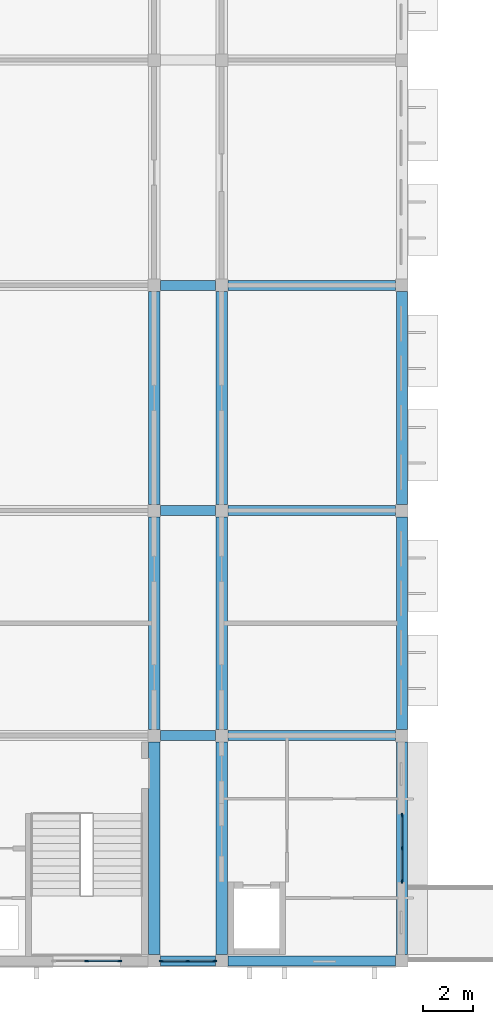
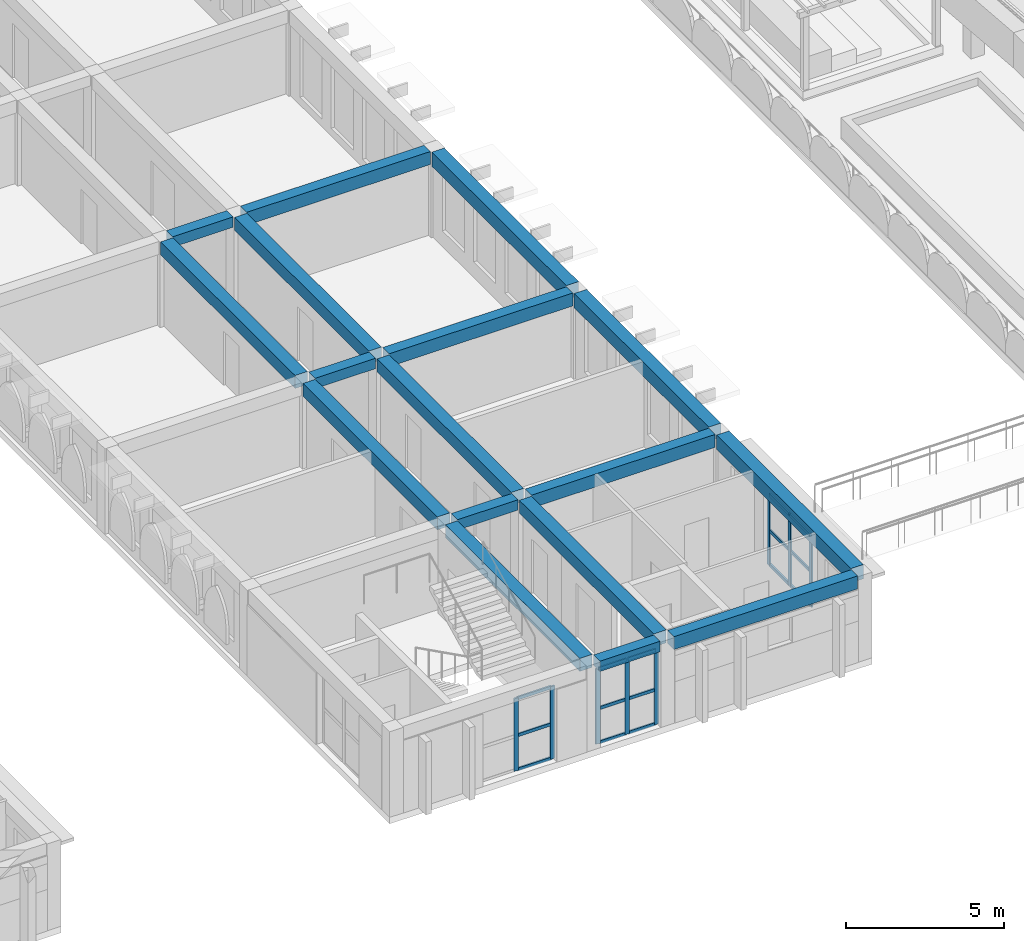
# One storey, part 25 of 65: 23 members, 17 beams, 3 elements without a shape of their own.
"""IFC4 building model written with IfcOpenShell, lengths in metres."""

from ifc_helpers import new_model, si_unit, direction, frame, origin, origin_2d, place, context, subcontext, project, spatial, rectangle, extrude, material, layer, layer_set, material_profile, profile_set, type_object, element, aggregate, save


model = new_model("IFC4")

# Units and contexts
model_context = context("Model", 3, precision=1e-05, world=origin(), true_north=direction((0.0, 1.0)))
body_context = subcontext(model_context, "Body", "Model", "MODEL_VIEW")
ifc_project = project(units=[si_unit("LENGTHUNIT", "METRE"), si_unit("AREAUNIT", "SQUARE_METRE"), si_unit("VOLUMEUNIT", "CUBIC_METRE"), si_unit("PLANEANGLEUNIT", "RADIAN"), si_unit("MASSUNIT", "GRAM", prefix="KILO")], contexts=[model_context])

# Site, building, storey
site_placement = place(None, origin())
site = spatial("IfcSite", under=ifc_project, at=site_placement, CompositionType="ELEMENT")
building_placement = place(site_placement, origin())
building = spatial("IfcBuilding", under=site, at=building_placement, Name="Elbe Cascade School", CompositionType="ELEMENT")
storey_placement = place(building_placement, frame((0.0, 0.0, 11.699951171875)))
storey = spatial("IfcBuildingStorey", under=building, at=storey_placement, Name="L03", CompositionType="ELEMENT", Elevation=11.699951171875)

# Curtain wall, members
ifc_material_1 = material(Name="Aluminium frame with double glazing, bronze anodised", Category="aluminium")
ifc_layer = layer(ifc_material_1, 0.159912109375)
ifc_layer_set = layer_set([ifc_layer], Name="Aluminium frame with double glazing, bronze anodised")
curtain_wall_type = type_object("IfcCurtainWallType", Name="Bars envelope Curtain wall, aluminium, bronze anodised, storey-high slot", PredefinedType="NOTDEFINED", material=ifc_layer_set)
curtain_wall_1_placement = place(storey_placement, origin())
curtain_wall_1 = element("IfcCurtainWall", 1, at=curtain_wall_1_placement, inside=storey, type_object=curtain_wall_type, Name="Curtain wall CW4 B.L03.e1", PredefinedType="NOTDEFINED")
ifc_material_2 = material(Name="Aluminium mullion, bronze anodised", Category="aluminium")
ifc_material_profile_1 = material_profile(ifc_material_2, rectangle(XDim=0.06005859375, YDim=0.159912109375, at=origin_2d()), Name="Bars envelope Curtain wall mullion 60 x 160, aluminium, storey-high slot")
ifc_profile_set_1 = profile_set([ifc_material_profile_1], Name="Aluminium mullion, bronze anodised")
member_type_1 = type_object("IfcMemberType", Name="Bars envelope Curtain wall mullion 60 x 160, aluminium, storey-high slot", PredefinedType="MULLION", material=ifc_profile_set_1)
member_1_placement = place(storey_placement, frame((115.699951171875, 11.820068359375, 0.0), z_axis=(0.0, 0.0, 1.0), x_axis=(1.0, 0.0, 0.0)))
member_1 = element("IfcMember", 2, at=member_1_placement, type_object=member_type_1, Name="CW4 mullion 1", PredefinedType="MULLION", context=body_context, shape_type="SweptSolid", body=[
    extrude(rectangle(XDim=0.06005859375, YDim=0.159912109375, at=origin_2d()), origin(), (0.0, 0.0, 1.0), 2.75),
])
member_2_placement = place(storey_placement, frame((115.699951171875, 10.5, 0.0), z_axis=(0.0, 0.0, 1.0), x_axis=(1.0, 0.0, 0.0)))
member_2 = element("IfcMember", 3, at=member_2_placement, type_object=member_type_1, Name="CW4 mullion 2", PredefinedType="MULLION", context=body_context, shape_type="SweptSolid", body=[
    extrude(rectangle(XDim=0.06005859375, YDim=0.159912109375, at=origin_2d()), origin(), (0.0, 0.0, 1.0), 2.75),
])
member_3_placement = place(storey_placement, frame((115.699951171875, 9.179931640625, 0.0), z_axis=(0.0, 0.0, 1.0), x_axis=(1.0, 0.0, 0.0)))
member_3 = element("IfcMember", 4, at=member_3_placement, type_object=member_type_1, Name="CW4 mullion 3", PredefinedType="MULLION", context=body_context, shape_type="SweptSolid", body=[
    extrude(rectangle(XDim=0.06005859375, YDim=0.159912109375, at=origin_2d()), origin(), (0.0, 0.0, 1.0), 2.75),
])

curtain_wall_2_placement = place(storey_placement, origin())
curtain_wall_2 = element("IfcCurtainWall", 5, at=curtain_wall_2_placement, inside=storey, type_object=curtain_wall_type, Name="Curtain wall CW4 B.L03.s1", PredefinedType="NOTDEFINED")
member_4_placement = place(storey_placement, frame((104.419921875, 6.0, 0.0), z_axis=(0.0, 0.0, 1.0), x_axis=(0.0, -1.0, 0.0)))
member_4 = element("IfcMember", 6, at=member_4_placement, type_object=member_type_1, Name="CW4 mullion 1", PredefinedType="MULLION", context=body_context, shape_type="SweptSolid", body=[
    extrude(rectangle(XDim=0.06005859375, YDim=0.159912109375, at=origin_2d()), origin(), (0.0, 0.0, 1.0), 2.800048828125),
])
member_5_placement = place(storey_placement, frame((103.10009765625, 6.0, 0.0), z_axis=(0.0, 0.0, 1.0), x_axis=(0.0, -1.0, 0.0)))
member_5 = element("IfcMember", 7, at=member_5_placement, type_object=member_type_1, Name="CW4 mullion 2", PredefinedType="MULLION", context=body_context, shape_type="SweptSolid", body=[
    extrude(rectangle(XDim=0.06005859375, YDim=0.159912109375, at=origin_2d()), origin(), (0.0, 0.0, 1.0), 2.800048828125),
])

curtain_wall_3_placement = place(storey_placement, origin())
curtain_wall_3 = element("IfcCurtainWall", 8, at=curtain_wall_3_placement, inside=storey, type_object=curtain_wall_type, Name="Curtain wall CW4 B.L03.s2", PredefinedType="NOTDEFINED")
member_6_placement = place(storey_placement, frame((108.219970703125, 6.0, 0.0), z_axis=(0.0, 0.0, 1.0), x_axis=(0.0, -1.0, 0.0)))
member_6 = element("IfcMember", 9, at=member_6_placement, type_object=member_type_1, Name="CW4 mullion 1", PredefinedType="MULLION", context=body_context, shape_type="SweptSolid", body=[
    extrude(rectangle(XDim=0.06005859375, YDim=0.159912109375, at=origin_2d()), origin(), (0.0, 0.0, 1.0), 2.900146484375),
])
member_7_placement = place(storey_placement, frame((107.14990234375, 6.0, 0.0), z_axis=(0.0, 0.0, 1.0), x_axis=(0.0, -1.0, 0.0)))
member_7 = element("IfcMember", 10, at=member_7_placement, type_object=member_type_1, Name="CW4 mullion 2", PredefinedType="MULLION", context=body_context, shape_type="SweptSolid", body=[
    extrude(rectangle(XDim=0.06005859375, YDim=0.159912109375, at=origin_2d()), origin(), (0.0, 0.0, 1.0), 2.900146484375),
])
member_8_placement = place(storey_placement, frame((106.080078125, 6.0, 0.0), z_axis=(0.0, 0.0, 1.0), x_axis=(0.0, -1.0, 0.0)))
member_8 = element("IfcMember", 11, at=member_8_placement, type_object=member_type_1, Name="CW4 mullion 3", PredefinedType="MULLION", context=body_context, shape_type="SweptSolid", body=[
    extrude(rectangle(XDim=0.06005859375, YDim=0.159912109375, at=origin_2d()), origin(), (0.0, 0.0, 1.0), 2.900146484375),
])

# Member
ifc_material_3 = material(Name="Aluminium transom, bronze anodised", Category="aluminium")
ifc_material_profile_2 = material_profile(ifc_material_3, rectangle(XDim=0.06005859375, YDim=0.1201171875, at=origin_2d()), Name="Bars envelope Curtain wall transom 60 x 120, aluminium, storey-high slot")
ifc_profile_set_2 = profile_set([ifc_material_profile_2], Name="Aluminium transom, bronze anodised")
member_type_2 = type_object("IfcMemberType", Name="Bars envelope Curtain wall transom 60 x 120, aluminium, storey-high slot", PredefinedType="USERDEFINED", material=ifc_profile_set_2)
member_9_placement = place(storey_placement, frame((115.699951171875, 11.7900390625, 0.030029296875), z_axis=(0.0, -1.0, 0.0), x_axis=(1.0, 0.0, 0.0)))
member_9 = element("IfcMember", 12, at=member_9_placement, type_object=member_type_2, Name="CW4 transom 1.1", ObjectType="TRANSOM", PredefinedType="USERDEFINED", context=body_context, shape_type="SweptSolid", body=[
    extrude(rectangle(XDim=0.06005859375, YDim=0.1201171875, at=origin_2d()), origin(), (0.0, 0.0, 1.0), 1.260009765625),
])

member_10_placement = place(storey_placement, frame((115.699951171875, 11.7900390625, 1.35009765625), z_axis=(0.0, -1.0, 0.0), x_axis=(1.0, 0.0, 0.0)))
member_10 = element("IfcMember", 13, at=member_10_placement, type_object=member_type_2, Name="CW4 transom 1.2", ObjectType="TRANSOM", PredefinedType="USERDEFINED", context=body_context, shape_type="SweptSolid", body=[
    extrude(rectangle(XDim=0.06005859375, YDim=0.1201171875, at=origin_2d()), origin(), (0.0, 0.0, 1.0), 1.260009765625),
])

member_11_placement = place(storey_placement, frame((115.699951171875, 11.7900390625, 2.719970703125), z_axis=(0.0, -1.0, 0.0), x_axis=(1.0, 0.0, 0.0)))
member_11 = element("IfcMember", 14, at=member_11_placement, type_object=member_type_2, Name="CW4 transom 1.3", ObjectType="TRANSOM", PredefinedType="USERDEFINED", context=body_context, shape_type="SweptSolid", body=[
    extrude(rectangle(XDim=0.06005859375, YDim=0.1201171875, at=origin_2d()), origin(), (0.0, 0.0, 1.0), 1.260009765625),
])

member_12_placement = place(storey_placement, frame((115.699951171875, 10.469970703125, 0.030029296875), z_axis=(0.0, -1.0, 0.0), x_axis=(1.0, 0.0, 0.0)))
member_12 = element("IfcMember", 15, at=member_12_placement, type_object=member_type_2, Name="CW4 transom 2.1", ObjectType="TRANSOM", PredefinedType="USERDEFINED", context=body_context, shape_type="SweptSolid", body=[
    extrude(rectangle(XDim=0.06005859375, YDim=0.1201171875, at=origin_2d()), origin(), (0.0, 0.0, 1.0), 1.260009765625),
])

member_13_placement = place(storey_placement, frame((115.699951171875, 10.469970703125, 1.35009765625), z_axis=(0.0, -1.0, 0.0), x_axis=(1.0, 0.0, 0.0)))
member_13 = element("IfcMember", 16, at=member_13_placement, type_object=member_type_2, Name="CW4 transom 2.2", ObjectType="TRANSOM", PredefinedType="USERDEFINED", context=body_context, shape_type="SweptSolid", body=[
    extrude(rectangle(XDim=0.06005859375, YDim=0.1201171875, at=origin_2d()), origin(), (0.0, 0.0, 1.0), 1.260009765625),
])

member_14_placement = place(storey_placement, frame((115.699951171875, 10.469970703125, 2.719970703125), z_axis=(0.0, -1.0, 0.0), x_axis=(1.0, 0.0, 0.0)))
member_14 = element("IfcMember", 17, at=member_14_placement, type_object=member_type_2, Name="CW4 transom 2.3", ObjectType="TRANSOM", PredefinedType="USERDEFINED", context=body_context, shape_type="SweptSolid", body=[
    extrude(rectangle(XDim=0.06005859375, YDim=0.1201171875, at=origin_2d()), origin(), (0.0, 0.0, 1.0), 1.260009765625),
])

aggregate(curtain_wall_1, [member_1, member_2, member_3, member_9, member_10, member_11, member_12, member_13, member_14])

member_15_placement = place(storey_placement, frame((104.389892578125, 6.0, 0.030029296875), z_axis=(-1.0, 0.0, 0.0), x_axis=(0.0, -1.0, 0.0)))
member_15 = element("IfcMember", 18, at=member_15_placement, type_object=member_type_2, Name="CW4 transom 1.1", ObjectType="TRANSOM", PredefinedType="USERDEFINED", context=body_context, shape_type="SweptSolid", body=[
    extrude(rectangle(XDim=0.06005859375, YDim=0.1201171875, at=origin_2d()), origin(), (0.0, 0.0, 1.0), 1.260009765625),
])

member_16_placement = place(storey_placement, frame((104.389892578125, 6.0, 1.35009765625), z_axis=(-1.0, 0.0, 0.0), x_axis=(0.0, -1.0, 0.0)))
member_16 = element("IfcMember", 19, at=member_16_placement, type_object=member_type_2, Name="CW4 transom 1.2", ObjectType="TRANSOM", PredefinedType="USERDEFINED", context=body_context, shape_type="SweptSolid", body=[
    extrude(rectangle(XDim=0.06005859375, YDim=0.1201171875, at=origin_2d()), origin(), (0.0, 0.0, 1.0), 1.260009765625),
])

member_17_placement = place(storey_placement, frame((104.389892578125, 6.0, 2.77001953125), z_axis=(-1.0, 0.0, 0.0), x_axis=(0.0, -1.0, 0.0)))
member_17 = element("IfcMember", 20, at=member_17_placement, type_object=member_type_2, Name="CW4 transom 1.3", ObjectType="TRANSOM", PredefinedType="USERDEFINED", context=body_context, shape_type="SweptSolid", body=[
    extrude(rectangle(XDim=0.06005859375, YDim=0.1201171875, at=origin_2d()), origin(), (0.0, 0.0, 1.0), 1.260009765625),
])

aggregate(curtain_wall_2, [member_4, member_5, member_15, member_16, member_17])

member_18_placement = place(storey_placement, frame((108.18994140625, 6.0, 0.030029296875), z_axis=(-1.0, 0.0, 0.0), x_axis=(0.0, -1.0, 0.0)))
member_18 = element("IfcMember", 21, at=member_18_placement, type_object=member_type_2, Name="CW4 transom 1.1", ObjectType="TRANSOM", PredefinedType="USERDEFINED", context=body_context, shape_type="SweptSolid", body=[
    extrude(rectangle(XDim=0.06005859375, YDim=0.1201171875, at=origin_2d()), origin(), (0.0, 0.0, 1.0), 1.010009765625),
])

member_19_placement = place(storey_placement, frame((108.18994140625, 6.0, 1.35009765625), z_axis=(-1.0, 0.0, 0.0), x_axis=(0.0, -1.0, 0.0)))
member_19 = element("IfcMember", 22, at=member_19_placement, type_object=member_type_2, Name="CW4 transom 1.2", ObjectType="TRANSOM", PredefinedType="USERDEFINED", context=body_context, shape_type="SweptSolid", body=[
    extrude(rectangle(XDim=0.06005859375, YDim=0.1201171875, at=origin_2d()), origin(), (0.0, 0.0, 1.0), 1.010009765625),
])

member_20_placement = place(storey_placement, frame((108.18994140625, 6.0, 2.8701171875), z_axis=(-1.0, 0.0, 0.0), x_axis=(0.0, -1.0, 0.0)))
member_20 = element("IfcMember", 23, at=member_20_placement, type_object=member_type_2, Name="CW4 transom 1.3", ObjectType="TRANSOM", PredefinedType="USERDEFINED", context=body_context, shape_type="SweptSolid", body=[
    extrude(rectangle(XDim=0.06005859375, YDim=0.1201171875, at=origin_2d()), origin(), (0.0, 0.0, 1.0), 1.010009765625),
])

member_21_placement = place(storey_placement, frame((107.1201171875, 6.0, 0.030029296875), z_axis=(-1.0, 0.0, 0.0), x_axis=(0.0, -1.0, 0.0)))
member_21 = element("IfcMember", 24, at=member_21_placement, type_object=member_type_2, Name="CW4 transom 2.1", ObjectType="TRANSOM", PredefinedType="USERDEFINED", context=body_context, shape_type="SweptSolid", body=[
    extrude(rectangle(XDim=0.06005859375, YDim=0.1201171875, at=origin_2d()), origin(), (0.0, 0.0, 1.0), 1.010009765625),
])

member_22_placement = place(storey_placement, frame((107.1201171875, 6.0, 1.35009765625), z_axis=(-1.0, 0.0, 0.0), x_axis=(0.0, -1.0, 0.0)))
member_22 = element("IfcMember", 25, at=member_22_placement, type_object=member_type_2, Name="CW4 transom 2.2", ObjectType="TRANSOM", PredefinedType="USERDEFINED", context=body_context, shape_type="SweptSolid", body=[
    extrude(rectangle(XDim=0.06005859375, YDim=0.1201171875, at=origin_2d()), origin(), (0.0, 0.0, 1.0), 1.010009765625),
])

member_23_placement = place(storey_placement, frame((107.1201171875, 6.0, 2.8701171875), z_axis=(-1.0, 0.0, 0.0), x_axis=(0.0, -1.0, 0.0)))
member_23 = element("IfcMember", 26, at=member_23_placement, type_object=member_type_2, Name="CW4 transom 2.3", ObjectType="TRANSOM", PredefinedType="USERDEFINED", context=body_context, shape_type="SweptSolid", body=[
    extrude(rectangle(XDim=0.06005859375, YDim=0.1201171875, at=origin_2d()), origin(), (0.0, 0.0, 1.0), 1.010009765625),
])

aggregate(curtain_wall_3, [member_6, member_7, member_8, member_18, member_19, member_20, member_21, member_22, member_23])

# Beams
ifc_material_4 = material(Name="Concrete C30/37", Category="concrete")
ifc_material_profile_3 = material_profile(ifc_material_4, rectangle(XDim=0.39990234375, YDim=0.39990234375, at=origin_2d()), Name="RC 400x400")
ifc_profile_set_3 = profile_set([ifc_material_profile_3], Name="Concrete C30/37")
beam_type_1 = type_object("IfcBeamType", Name="RC 400x400 beam", PredefinedType="BEAM", material=ifc_profile_set_3)
for number, where, z_axis, x_axis, name in (
    (27, (106.050048828125, 6.0, 3.10009765625), (1.0, 0.0, 0.0), (0.0, 1.0, 0.0), "RC 400x400 beam B5"),
    (28, (106.050048828125, 15.0, 3.10009765625), (1.0, 0.0, 0.0), (0.0, 1.0, 0.0), "RC 400x400 beam B5"),
    (29, (106.050048828125, 24.0, 3.10009765625), (1.0, 0.0, 0.0), (0.0, 1.0, 0.0), "RC 400x400 beam B5"),
    (30, (106.050048828125, 33.0, 3.10009765625), (1.0, 0.0, 0.0), (0.0, 1.0, 0.0), "RC 400x400 beam B5"),
):
    element("IfcBeam", number, at=place(storey_placement, frame(where, z_axis=z_axis, x_axis=x_axis)), inside=storey, type_object=beam_type_1, Name=name, PredefinedType="BEAM", context=body_context, shape_type="SweptSolid", body=[
        extrude(rectangle(XDim=0.39990234375, YDim=0.39990234375, at=origin_2d()), origin(), (0.0, 0.0, 1.0), 2.199951171875),
    ])
ifc_material_5 = material(Name="Concrete C30/37", Category="concrete")
ifc_material_profile_4 = material_profile(ifc_material_5, rectangle(XDim=0.39990234375, YDim=0.5, at=origin_2d()), Name="RC 400x500")
ifc_profile_set_4 = profile_set([ifc_material_profile_4], Name="Concrete C30/37")
beam_type_2 = type_object("IfcBeamType", Name="RC 400x500 beam", PredefinedType="BEAM", material=ifc_profile_set_4)
for number, where, z_axis, x_axis, name in (
    (31, (108.75, 6.0, 3.050048828125), (1.0, 0.0, 0.0), (0.0, 1.0, 0.0), "RC 400x500 beam B1"),
    (32, (108.75, 15.0, 3.050048828125), (1.0, 0.0, 0.0), (0.0, 1.0, 0.0), "RC 400x500 beam B1"),
    (33, (108.75, 24.0, 3.050048828125), (1.0, 0.0, 0.0), (0.0, 1.0, 0.0), "RC 400x500 beam B1"),
    (34, (108.75, 33.0, 3.050048828125), (1.0, 0.0, 0.0), (0.0, 1.0, 0.0), "RC 400x500 beam B1"),
):
    element("IfcBeam", number, at=place(storey_placement, frame(where, z_axis=z_axis, x_axis=x_axis)), inside=storey, type_object=beam_type_2, Name=name, PredefinedType="BEAM", context=body_context, shape_type="SweptSolid", body=[
        extrude(rectangle(XDim=0.39990234375, YDim=0.5, at=origin_2d()), origin(), (0.0, 0.0, 1.0), 6.699951171875),
    ])
ifc_material_6 = material(Name="Concrete C30/37", Category="concrete")
ifc_material_profile_5 = material_profile(ifc_material_6, rectangle(XDim=0.449951171875, YDim=0.5, at=origin_2d()), Name="RC 450x500")
ifc_profile_set_5 = profile_set([ifc_material_profile_5], Name="Concrete C30/37")
beam_type_3 = type_object("IfcBeamType", Name="RC 450x500 beam", PredefinedType="BEAM", material=ifc_profile_set_5)
for number, where, z_axis, x_axis, name in (
    (35, (105.800048828125, 6.25, 3.050048828125), (0.0, 1.0, 0.0), (-1.0, 0.0, 0.0), "RC 450x500 beam B9"),
    (36, (105.800048828125, 15.25, 3.050048828125), (0.0, 1.0, 0.0), (-1.0, 0.0, 0.0), "RC 450x500 beam B9"),
    (37, (105.800048828125, 24.25, 3.050048828125), (0.0, 1.0, 0.0), (-1.0, 0.0, 0.0), "RC 450x500 beam B9"),
    (38, (108.5, 6.25, 3.050048828125), (0.0, 1.0, 0.0), (-1.0, 0.0, 0.0), "RC 450x500 beam B9"),
    (39, (108.5, 15.25, 3.050048828125), (0.0, 1.0, 0.0), (-1.0, 0.0, 0.0), "RC 450x500 beam B9"),
    (40, (108.5, 24.25, 3.050048828125), (0.0, 1.0, 0.0), (-1.0, 0.0, 0.0), "RC 450x500 beam B9"),
):
    element("IfcBeam", number, at=place(storey_placement, frame(where, z_axis=z_axis, x_axis=x_axis)), inside=storey, type_object=beam_type_3, Name=name, PredefinedType="BEAM", context=body_context, shape_type="SweptSolid", body=[
        extrude(rectangle(XDim=0.449951171875, YDim=0.5, at=origin_2d()), origin(), (0.0, 0.0, 1.0), 8.5),
    ])
ifc_material_7 = material(Name="Concrete C30/37", Category="concrete")
ifc_material_profile_6 = material_profile(ifc_material_7, rectangle(XDim=0.449951171875, YDim=0.550048828125, at=origin_2d()), Name="RC 450x550")
ifc_profile_set_6 = profile_set([ifc_material_profile_6], Name="Concrete C30/37")
beam_type_4 = type_object("IfcBeamType", Name="RC 450x550 beam", PredefinedType="BEAM", material=ifc_profile_set_6)
for number, where, z_axis, x_axis, name in (
    (41, (115.699951171875, 6.25, 3.025146484375), (0.0, 1.0, 0.0), (-1.0, 0.0, 0.0), "RC 450x550 beam B12"),
    (42, (115.699951171875, 15.25, 3.025146484375), (0.0, 1.0, 0.0), (-1.0, 0.0, 0.0), "RC 450x550 beam B12"),
    (43, (115.699951171875, 24.25, 3.025146484375), (0.0, 1.0, 0.0), (-1.0, 0.0, 0.0), "RC 450x550 beam B12"),
):
    element("IfcBeam", number, at=place(storey_placement, frame(where, z_axis=z_axis, x_axis=x_axis)), inside=storey, type_object=beam_type_4, Name=name, PredefinedType="BEAM", context=body_context, shape_type="SweptSolid", body=[
        extrude(rectangle(XDim=0.449951171875, YDim=0.550048828125, at=origin_2d()), origin(), (0.0, 0.0, 1.0), 8.5),
    ])

save(model, "model.ifc")
